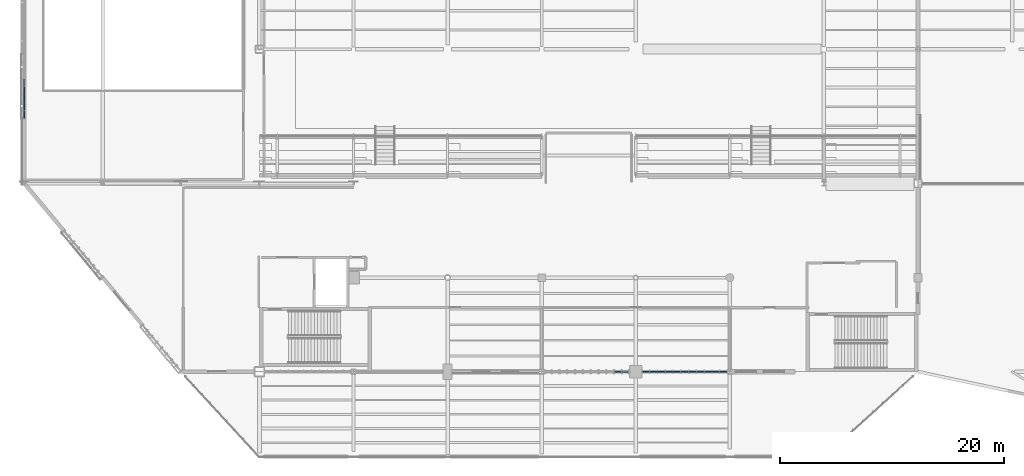
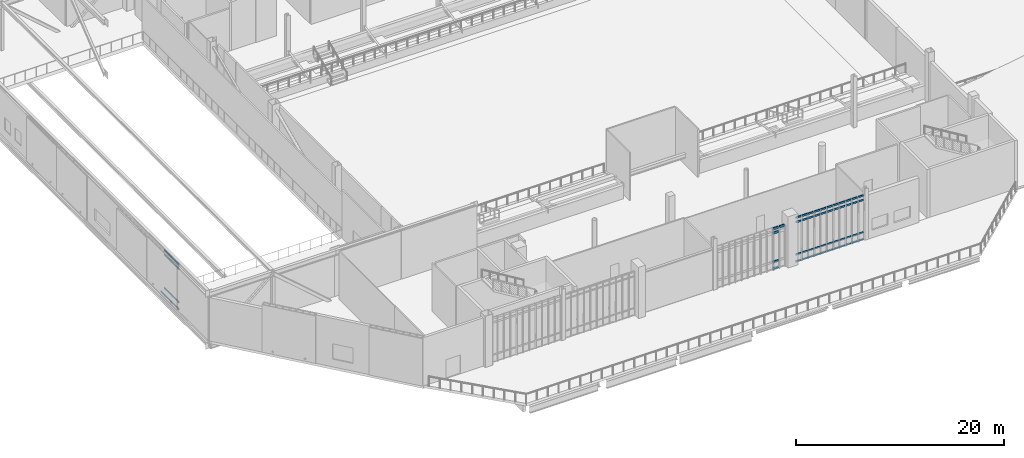
# One storey, part 46 of 135: 66 members, 3 elements without a shape of their own.
"""IFC4 building model written with IfcOpenShell, lengths in metres."""

from ifc_helpers import new_model, si_unit, direction, frame, origin, origin_2d, place, context, subcontext, project, spatial, rectangle, extrude, material, material_profile, profile_set, type_object, element, aggregate, save


model = new_model("IFC4")

# Units and contexts
model_context = context("Model", 3, precision=1e-05, world=origin(), true_north=direction((0.0, 1.0)))
body_context = subcontext(model_context, "Body", "Model", "MODEL_VIEW")
ifc_project = project(units=[si_unit("LENGTHUNIT", "METRE"), si_unit("AREAUNIT", "SQUARE_METRE"), si_unit("VOLUMEUNIT", "CUBIC_METRE"), si_unit("PLANEANGLEUNIT", "RADIAN"), si_unit("MASSUNIT", "GRAM", prefix="KILO")], contexts=[model_context])

# Site, building, storey
site_placement = place(None, origin())
site = spatial("IfcSite", under=ifc_project, at=site_placement, CompositionType="ELEMENT")
building_placement = place(site_placement, origin())
building = spatial("IfcBuilding", under=site, at=building_placement, Name="Larkvane Passage Sports Hall", CompositionType="ELEMENT")
storey_placement = place(building_placement, frame((0.0, 0.0, 10.800048828125)))
storey = spatial("IfcBuildingStorey", under=building, at=storey_placement, Name="L02", CompositionType="ELEMENT", Elevation=10.800048828125)

# Curtain wall, members
ifc_material_1 = material(Name="Thermally broken aluminium and low-E glazing", Category="aluminium")
curtain_wall_type_1 = type_object("IfcCurtainWallType", Name="CW-CLINIC", PredefinedType="USERDEFINED", material=ifc_material_1)
curtain_wall_1_placement = place(storey_placement, origin())
curtain_wall_1 = element("IfcCurtainWall", 1, at=curtain_wall_1_placement, inside=storey, type_object=curtain_wall_type_1, Name="Curtain wall CW5-L02-087", ObjectType="UNITISED CURTAIN WALL", PredefinedType="USERDEFINED")
ifc_material_2 = material(Name="Anodised aluminium 6063-T6", Category="aluminium")
ifc_material_profile_1 = material_profile(ifc_material_2, rectangle(XDim=0.110107421875, YDim=0.2900390625, at=origin_2d()), Name="ALU-TRN-110x290")
ifc_profile_set_1 = profile_set([ifc_material_profile_1], Name="Anodised aluminium 6063-T6")
member_type_1 = type_object("IfcMemberType", Name="CW-TRN-110x290", PredefinedType="USERDEFINED", material=ifc_profile_set_1)
member_1_placement = place(storey_placement, frame((67.743896484375, 22.800048828125, 4.742919921875), z_axis=(-1.0, 0.0, 0.0), x_axis=(0.0, -1.0, 0.0)))
member_1 = element("IfcMember", 2, at=member_1_placement, type_object=member_type_1, Name="CW-05 transom 1.4", ObjectType="TRANSOM", PredefinedType="USERDEFINED", context=body_context, shape_type="SweptSolid", body=[
    extrude(rectangle(XDim=0.110107421875, YDim=0.2900390625, at=origin_2d()), origin(), (0.0, 0.0, 1.0), 0.53076171875),
])
member_2_placement = place(storey_placement, frame((67.10302734375, 22.800048828125, 0.054931640625), z_axis=(-1.0, 0.0, 0.0), x_axis=(0.0, -1.0, 0.0)))
member_2 = element("IfcMember", 3, at=member_2_placement, type_object=member_type_1, Name="CW-05 transom 2.1", ObjectType="TRANSOM", PredefinedType="USERDEFINED", context=body_context, shape_type="SweptSolid", body=[
    extrude(rectangle(XDim=0.110107421875, YDim=0.2900390625, at=origin_2d()), origin(), (0.0, 0.0, 1.0), 0.585693359375),
])
member_3_placement = place(storey_placement, frame((67.10302734375, 22.800048828125, 0.849853515625), z_axis=(-1.0, 0.0, 0.0), x_axis=(0.0, -1.0, 0.0)))
member_3 = element("IfcMember", 4, at=member_3_placement, type_object=member_type_1, Name="CW-05 transom 2.2", ObjectType="TRANSOM", PredefinedType="USERDEFINED", context=body_context, shape_type="SweptSolid", body=[
    extrude(rectangle(XDim=0.110107421875, YDim=0.2900390625, at=origin_2d()), origin(), (0.0, 0.0, 1.0), 0.585693359375),
])
member_4_placement = place(storey_placement, frame((67.10302734375, 22.800048828125, 4.248046875), z_axis=(-1.0, 0.0, 0.0), x_axis=(0.0, -1.0, 0.0)))
member_4 = element("IfcMember", 5, at=member_4_placement, type_object=member_type_1, Name="CW-05 transom 2.3", ObjectType="TRANSOM", PredefinedType="USERDEFINED", context=body_context, shape_type="SweptSolid", body=[
    extrude(rectangle(XDim=0.110107421875, YDim=0.2900390625, at=origin_2d()), origin(), (0.0, 0.0, 1.0), 0.585693359375),
])
member_5_placement = place(storey_placement, frame((67.10302734375, 22.800048828125, 4.742919921875), z_axis=(-1.0, 0.0, 0.0), x_axis=(0.0, -1.0, 0.0)))
member_5 = element("IfcMember", 6, at=member_5_placement, type_object=member_type_1, Name="CW-05 transom 2.4", ObjectType="TRANSOM", PredefinedType="USERDEFINED", context=body_context, shape_type="SweptSolid", body=[
    extrude(rectangle(XDim=0.110107421875, YDim=0.2900390625, at=origin_2d()), origin(), (0.0, 0.0, 1.0), 0.585693359375),
])
aggregate(curtain_wall_1, [member_1, member_2, member_3, member_4, member_5])

curtain_wall_type_2 = type_object("IfcCurtainWallType", Name="CW-UNIT-COURT", PredefinedType="USERDEFINED", material=ifc_material_1)
curtain_wall_2_placement = place(storey_placement, origin())
curtain_wall_2 = element("IfcCurtainWall", 7, at=curtain_wall_2_placement, inside=storey, type_object=curtain_wall_type_2, Name="Curtain wall CW5-L02-092", ObjectType="UNITISED CURTAIN WALL", PredefinedType="USERDEFINED")
ifc_material_profile_2 = material_profile(ifc_material_2, rectangle(XDim=0.06005859375, YDim=0.1201171875, at=origin_2d()), Name="ALU-TRN-60x120")
ifc_profile_set_2 = profile_set([ifc_material_profile_2], Name="Anodised aluminium 6063-T6")
member_type_2 = type_object("IfcMemberType", Name="CW-TRN-60x120", PredefinedType="USERDEFINED", material=ifc_profile_set_2)
member_6_placement = place(storey_placement, frame((13.800048828125, 45.437744140625, 0.030029296875), z_axis=(0.0, 1.0, 0.0), x_axis=(-1.0, 0.0, 0.0)))
member_6 = element("IfcMember", 8, at=member_6_placement, type_object=member_type_2, Name="CW-01 transom 1.1", ObjectType="TRANSOM", PredefinedType="USERDEFINED", context=body_context, shape_type="SweptSolid", body=[
    extrude(rectangle(XDim=0.06005859375, YDim=0.1201171875, at=origin_2d()), origin(), (0.0, 0.0, 1.0), 0.63232421875),
])
member_7_placement = place(storey_placement, frame((13.800048828125, 45.437744140625, 0.849853515625), z_axis=(0.0, 1.0, 0.0), x_axis=(-1.0, 0.0, 0.0)))
member_7 = element("IfcMember", 9, at=member_7_placement, type_object=member_type_2, Name="CW-01 transom 1.2", ObjectType="TRANSOM", PredefinedType="USERDEFINED", context=body_context, shape_type="SweptSolid", body=[
    extrude(rectangle(XDim=0.06005859375, YDim=0.1201171875, at=origin_2d()), origin(), (0.0, 0.0, 1.0), 0.63232421875),
])
member_8_placement = place(storey_placement, frame((13.800048828125, 45.437744140625, 4.72802734375), z_axis=(0.0, 1.0, 0.0), x_axis=(-1.0, 0.0, 0.0)))
member_8 = element("IfcMember", 10, at=member_8_placement, type_object=member_type_2, Name="CW-01 transom 1.3", ObjectType="TRANSOM", PredefinedType="USERDEFINED", context=body_context, shape_type="SweptSolid", body=[
    extrude(rectangle(XDim=0.06005859375, YDim=0.1201171875, at=origin_2d()), origin(), (0.0, 0.0, 1.0), 0.63232421875),
])
member_9_placement = place(storey_placement, frame((13.800048828125, 45.437744140625, 5.248046875), z_axis=(0.0, 1.0, 0.0), x_axis=(-1.0, 0.0, 0.0)))
member_9 = element("IfcMember", 11, at=member_9_placement, type_object=member_type_2, Name="CW-01 transom 1.4", ObjectType="TRANSOM", PredefinedType="USERDEFINED", context=body_context, shape_type="SweptSolid", body=[
    extrude(rectangle(XDim=0.06005859375, YDim=0.1201171875, at=origin_2d()), origin(), (0.0, 0.0, 1.0), 0.63232421875),
])
member_10_placement = place(storey_placement, frame((13.800048828125, 46.130126953125, 0.030029296875), z_axis=(0.0, 1.0, 0.0), x_axis=(-1.0, 0.0, 0.0)))
member_10 = element("IfcMember", 12, at=member_10_placement, type_object=member_type_2, Name="CW-01 transom 2.1", ObjectType="TRANSOM", PredefinedType="USERDEFINED", context=body_context, shape_type="SweptSolid", body=[
    extrude(rectangle(XDim=0.06005859375, YDim=0.1201171875, at=origin_2d()), origin(), (0.0, 0.0, 1.0), 0.662109375),
])
member_11_placement = place(storey_placement, frame((13.800048828125, 46.130126953125, 0.849853515625), z_axis=(0.0, 1.0, 0.0), x_axis=(-1.0, 0.0, 0.0)))
member_11 = element("IfcMember", 13, at=member_11_placement, type_object=member_type_2, Name="CW-01 transom 2.2", ObjectType="TRANSOM", PredefinedType="USERDEFINED", context=body_context, shape_type="SweptSolid", body=[
    extrude(rectangle(XDim=0.06005859375, YDim=0.1201171875, at=origin_2d()), origin(), (0.0, 0.0, 1.0), 0.662109375),
])
member_12_placement = place(storey_placement, frame((13.800048828125, 46.130126953125, 4.72802734375), z_axis=(0.0, 1.0, 0.0), x_axis=(-1.0, 0.0, 0.0)))
member_12 = element("IfcMember", 14, at=member_12_placement, type_object=member_type_2, Name="CW-01 transom 2.3", ObjectType="TRANSOM", PredefinedType="USERDEFINED", context=body_context, shape_type="SweptSolid", body=[
    extrude(rectangle(XDim=0.06005859375, YDim=0.1201171875, at=origin_2d()), origin(), (0.0, 0.0, 1.0), 0.662109375),
])
member_13_placement = place(storey_placement, frame((13.800048828125, 46.130126953125, 5.248046875), z_axis=(0.0, 1.0, 0.0), x_axis=(-1.0, 0.0, 0.0)))
member_13 = element("IfcMember", 15, at=member_13_placement, type_object=member_type_2, Name="CW-01 transom 2.4", ObjectType="TRANSOM", PredefinedType="USERDEFINED", context=body_context, shape_type="SweptSolid", body=[
    extrude(rectangle(XDim=0.06005859375, YDim=0.1201171875, at=origin_2d()), origin(), (0.0, 0.0, 1.0), 0.662109375),
])
member_14_placement = place(storey_placement, frame((13.800048828125, 46.852294921875, 0.030029296875), z_axis=(0.0, 1.0, 0.0), x_axis=(-1.0, 0.0, 0.0)))
member_14 = element("IfcMember", 16, at=member_14_placement, type_object=member_type_2, Name="CW-01 transom 3.1", ObjectType="TRANSOM", PredefinedType="USERDEFINED", context=body_context, shape_type="SweptSolid", body=[
    extrude(rectangle(XDim=0.06005859375, YDim=0.1201171875, at=origin_2d()), origin(), (0.0, 0.0, 1.0), 0.662109375),
])
member_15_placement = place(storey_placement, frame((13.800048828125, 46.852294921875, 0.849853515625), z_axis=(0.0, 1.0, 0.0), x_axis=(-1.0, 0.0, 0.0)))
member_15 = element("IfcMember", 17, at=member_15_placement, type_object=member_type_2, Name="CW-01 transom 3.2", ObjectType="TRANSOM", PredefinedType="USERDEFINED", context=body_context, shape_type="SweptSolid", body=[
    extrude(rectangle(XDim=0.06005859375, YDim=0.1201171875, at=origin_2d()), origin(), (0.0, 0.0, 1.0), 0.662109375),
])
member_16_placement = place(storey_placement, frame((13.800048828125, 46.852294921875, 4.72802734375), z_axis=(0.0, 1.0, 0.0), x_axis=(-1.0, 0.0, 0.0)))
member_16 = element("IfcMember", 18, at=member_16_placement, type_object=member_type_2, Name="CW-01 transom 3.3", ObjectType="TRANSOM", PredefinedType="USERDEFINED", context=body_context, shape_type="SweptSolid", body=[
    extrude(rectangle(XDim=0.06005859375, YDim=0.1201171875, at=origin_2d()), origin(), (0.0, 0.0, 1.0), 0.662109375),
])
member_17_placement = place(storey_placement, frame((13.800048828125, 46.852294921875, 5.248046875), z_axis=(0.0, 1.0, 0.0), x_axis=(-1.0, 0.0, 0.0)))
member_17 = element("IfcMember", 19, at=member_17_placement, type_object=member_type_2, Name="CW-01 transom 3.4", ObjectType="TRANSOM", PredefinedType="USERDEFINED", context=body_context, shape_type="SweptSolid", body=[
    extrude(rectangle(XDim=0.06005859375, YDim=0.1201171875, at=origin_2d()), origin(), (0.0, 0.0, 1.0), 0.662109375),
])
member_18_placement = place(storey_placement, frame((13.800048828125, 47.574462890625, 0.030029296875), z_axis=(0.0, 1.0, 0.0), x_axis=(-1.0, 0.0, 0.0)))
member_18 = element("IfcMember", 20, at=member_18_placement, type_object=member_type_2, Name="CW-01 transom 4.1", ObjectType="TRANSOM", PredefinedType="USERDEFINED", context=body_context, shape_type="SweptSolid", body=[
    extrude(rectangle(XDim=0.06005859375, YDim=0.1201171875, at=origin_2d()), origin(), (0.0, 0.0, 1.0), 0.662353515625),
])
member_19_placement = place(storey_placement, frame((13.800048828125, 47.574462890625, 0.849853515625), z_axis=(0.0, 1.0, 0.0), x_axis=(-1.0, 0.0, 0.0)))
member_19 = element("IfcMember", 21, at=member_19_placement, type_object=member_type_2, Name="CW-01 transom 4.2", ObjectType="TRANSOM", PredefinedType="USERDEFINED", context=body_context, shape_type="SweptSolid", body=[
    extrude(rectangle(XDim=0.06005859375, YDim=0.1201171875, at=origin_2d()), origin(), (0.0, 0.0, 1.0), 0.662353515625),
])
member_20_placement = place(storey_placement, frame((13.800048828125, 47.574462890625, 4.72802734375), z_axis=(0.0, 1.0, 0.0), x_axis=(-1.0, 0.0, 0.0)))
member_20 = element("IfcMember", 22, at=member_20_placement, type_object=member_type_2, Name="CW-01 transom 4.3", ObjectType="TRANSOM", PredefinedType="USERDEFINED", context=body_context, shape_type="SweptSolid", body=[
    extrude(rectangle(XDim=0.06005859375, YDim=0.1201171875, at=origin_2d()), origin(), (0.0, 0.0, 1.0), 0.662353515625),
])
member_21_placement = place(storey_placement, frame((13.800048828125, 47.574462890625, 5.248046875), z_axis=(0.0, 1.0, 0.0), x_axis=(-1.0, 0.0, 0.0)))
member_21 = element("IfcMember", 23, at=member_21_placement, type_object=member_type_2, Name="CW-01 transom 4.4", ObjectType="TRANSOM", PredefinedType="USERDEFINED", context=body_context, shape_type="SweptSolid", body=[
    extrude(rectangle(XDim=0.06005859375, YDim=0.1201171875, at=origin_2d()), origin(), (0.0, 0.0, 1.0), 0.662353515625),
])
member_22_placement = place(storey_placement, frame((13.800048828125, 48.296630859375, 0.030029296875), z_axis=(0.0, 1.0, 0.0), x_axis=(-1.0, 0.0, 0.0)))
member_22 = element("IfcMember", 24, at=member_22_placement, type_object=member_type_2, Name="CW-01 transom 5.1", ObjectType="TRANSOM", PredefinedType="USERDEFINED", context=body_context, shape_type="SweptSolid", body=[
    extrude(rectangle(XDim=0.06005859375, YDim=0.1201171875, at=origin_2d()), origin(), (0.0, 0.0, 1.0), 0.662353515625),
])
aggregate(curtain_wall_2, [member_6, member_7, member_8, member_9, member_10, member_11, member_12, member_13, member_14, member_15, member_16, member_17, member_18, member_19, member_20, member_21, member_22])

curtain_wall_type_3 = type_object("IfcCurtainWallType", Name="CW-STICK-FOYER", PredefinedType="USERDEFINED", material=ifc_material_1)
curtain_wall_3_placement = place(storey_placement, origin())
curtain_wall_3 = element("IfcCurtainWall", 25, at=curtain_wall_3_placement, inside=storey, type_object=curtain_wall_type_3, Name="Curtain wall CW5-L02-086", ObjectType="STICK CURTAIN WALL", PredefinedType="USERDEFINED")
ifc_material_profile_3 = material_profile(ifc_material_2, rectangle(XDim=0.080078125, YDim=0.2099609375, at=origin_2d()), Name="ALU-TRN-80x210")
ifc_profile_set_3 = profile_set([ifc_material_profile_3], Name="Anodised aluminium 6063-T6")
member_type_3 = type_object("IfcMemberType", Name="CW-TRN-80x210", PredefinedType="USERDEFINED", material=ifc_profile_set_3)
member_23_placement = place(storey_placement, frame((76.521484375, 22.800048828125, 0.0400390625), z_axis=(-1.0, 0.0, 0.0), x_axis=(0.0, -1.0, 0.0)))
member_23 = element("IfcMember", 26, at=member_23_placement, type_object=member_type_3, Name="CW-03 transom 1.1", ObjectType="TRANSOM", PredefinedType="USERDEFINED", context=body_context, shape_type="SweptSolid", body=[
    extrude(rectangle(XDim=0.080078125, YDim=0.2099609375, at=origin_2d()), origin(), (0.0, 0.0, 1.0), 0.575927734375),
])
member_24_placement = place(storey_placement, frame((76.521484375, 22.800048828125, 0.849853515625), z_axis=(-1.0, 0.0, 0.0), x_axis=(0.0, -1.0, 0.0)))
member_24 = element("IfcMember", 27, at=member_24_placement, type_object=member_type_3, Name="CW-03 transom 1.2", ObjectType="TRANSOM", PredefinedType="USERDEFINED", context=body_context, shape_type="SweptSolid", body=[
    extrude(rectangle(XDim=0.080078125, YDim=0.2099609375, at=origin_2d()), origin(), (0.0, 0.0, 1.0), 0.575927734375),
])
member_25_placement = place(storey_placement, frame((76.521484375, 22.800048828125, 4.64794921875), z_axis=(-1.0, 0.0, 0.0), x_axis=(0.0, -1.0, 0.0)))
member_25 = element("IfcMember", 28, at=member_25_placement, type_object=member_type_3, Name="CW-03 transom 1.3", ObjectType="TRANSOM", PredefinedType="USERDEFINED", context=body_context, shape_type="SweptSolid", body=[
    extrude(rectangle(XDim=0.080078125, YDim=0.2099609375, at=origin_2d()), origin(), (0.0, 0.0, 1.0), 0.575927734375),
])
member_26_placement = place(storey_placement, frame((76.521484375, 22.800048828125, 5.157958984375), z_axis=(-1.0, 0.0, 0.0), x_axis=(0.0, -1.0, 0.0)))
member_26 = element("IfcMember", 29, at=member_26_placement, type_object=member_type_3, Name="CW-03 transom 1.4", ObjectType="TRANSOM", PredefinedType="USERDEFINED", context=body_context, shape_type="SweptSolid", body=[
    extrude(rectangle(XDim=0.080078125, YDim=0.2099609375, at=origin_2d()), origin(), (0.0, 0.0, 1.0), 0.575927734375),
])
member_27_placement = place(storey_placement, frame((75.865478515625, 22.800048828125, 0.0400390625), z_axis=(-1.0, 0.0, 0.0), x_axis=(0.0, -1.0, 0.0)))
member_27 = element("IfcMember", 30, at=member_27_placement, type_object=member_type_3, Name="CW-03 transom 2.1", ObjectType="TRANSOM", PredefinedType="USERDEFINED", context=body_context, shape_type="SweptSolid", body=[
    extrude(rectangle(XDim=0.080078125, YDim=0.2099609375, at=origin_2d()), origin(), (0.0, 0.0, 1.0), 0.615966796875),
])
member_28_placement = place(storey_placement, frame((75.865478515625, 22.800048828125, 0.849853515625), z_axis=(-1.0, 0.0, 0.0), x_axis=(0.0, -1.0, 0.0)))
member_28 = element("IfcMember", 31, at=member_28_placement, type_object=member_type_3, Name="CW-03 transom 2.2", ObjectType="TRANSOM", PredefinedType="USERDEFINED", context=body_context, shape_type="SweptSolid", body=[
    extrude(rectangle(XDim=0.080078125, YDim=0.2099609375, at=origin_2d()), origin(), (0.0, 0.0, 1.0), 0.615966796875),
])
member_29_placement = place(storey_placement, frame((75.865478515625, 22.800048828125, 4.64794921875), z_axis=(-1.0, 0.0, 0.0), x_axis=(0.0, -1.0, 0.0)))
member_29 = element("IfcMember", 32, at=member_29_placement, type_object=member_type_3, Name="CW-03 transom 2.3", ObjectType="TRANSOM", PredefinedType="USERDEFINED", context=body_context, shape_type="SweptSolid", body=[
    extrude(rectangle(XDim=0.080078125, YDim=0.2099609375, at=origin_2d()), origin(), (0.0, 0.0, 1.0), 0.615966796875),
])
member_30_placement = place(storey_placement, frame((75.865478515625, 22.800048828125, 5.157958984375), z_axis=(-1.0, 0.0, 0.0), x_axis=(0.0, -1.0, 0.0)))
member_30 = element("IfcMember", 33, at=member_30_placement, type_object=member_type_3, Name="CW-03 transom 2.4", ObjectType="TRANSOM", PredefinedType="USERDEFINED", context=body_context, shape_type="SweptSolid", body=[
    extrude(rectangle(XDim=0.080078125, YDim=0.2099609375, at=origin_2d()), origin(), (0.0, 0.0, 1.0), 0.615966796875),
])
member_31_placement = place(storey_placement, frame((75.169677734375, 22.800048828125, 0.0400390625), z_axis=(-1.0, 0.0, 0.0), x_axis=(0.0, -1.0, 0.0)))
member_31 = element("IfcMember", 34, at=member_31_placement, type_object=member_type_3, Name="CW-03 transom 3.1", ObjectType="TRANSOM", PredefinedType="USERDEFINED", context=body_context, shape_type="SweptSolid", body=[
    extrude(rectangle(XDim=0.080078125, YDim=0.2099609375, at=origin_2d()), origin(), (0.0, 0.0, 1.0), 0.615966796875),
])
member_32_placement = place(storey_placement, frame((75.169677734375, 22.800048828125, 0.849853515625), z_axis=(-1.0, 0.0, 0.0), x_axis=(0.0, -1.0, 0.0)))
member_32 = element("IfcMember", 35, at=member_32_placement, type_object=member_type_3, Name="CW-03 transom 3.2", ObjectType="TRANSOM", PredefinedType="USERDEFINED", context=body_context, shape_type="SweptSolid", body=[
    extrude(rectangle(XDim=0.080078125, YDim=0.2099609375, at=origin_2d()), origin(), (0.0, 0.0, 1.0), 0.615966796875),
])
member_33_placement = place(storey_placement, frame((75.169677734375, 22.800048828125, 4.64794921875), z_axis=(-1.0, 0.0, 0.0), x_axis=(0.0, -1.0, 0.0)))
member_33 = element("IfcMember", 36, at=member_33_placement, type_object=member_type_3, Name="CW-03 transom 3.3", ObjectType="TRANSOM", PredefinedType="USERDEFINED", context=body_context, shape_type="SweptSolid", body=[
    extrude(rectangle(XDim=0.080078125, YDim=0.2099609375, at=origin_2d()), origin(), (0.0, 0.0, 1.0), 0.615966796875),
])
member_34_placement = place(storey_placement, frame((75.169677734375, 22.800048828125, 5.157958984375), z_axis=(-1.0, 0.0, 0.0), x_axis=(0.0, -1.0, 0.0)))
member_34 = element("IfcMember", 37, at=member_34_placement, type_object=member_type_3, Name="CW-03 transom 3.4", ObjectType="TRANSOM", PredefinedType="USERDEFINED", context=body_context, shape_type="SweptSolid", body=[
    extrude(rectangle(XDim=0.080078125, YDim=0.2099609375, at=origin_2d()), origin(), (0.0, 0.0, 1.0), 0.615966796875),
])
member_35_placement = place(storey_placement, frame((74.4736328125, 22.800048828125, 0.0400390625), z_axis=(-1.0, 0.0, 0.0), x_axis=(0.0, -1.0, 0.0)))
member_35 = element("IfcMember", 38, at=member_35_placement, type_object=member_type_3, Name="CW-03 transom 4.1", ObjectType="TRANSOM", PredefinedType="USERDEFINED", context=body_context, shape_type="SweptSolid", body=[
    extrude(rectangle(XDim=0.080078125, YDim=0.2099609375, at=origin_2d()), origin(), (0.0, 0.0, 1.0), 0.615966796875),
])
member_36_placement = place(storey_placement, frame((74.4736328125, 22.800048828125, 0.849853515625), z_axis=(-1.0, 0.0, 0.0), x_axis=(0.0, -1.0, 0.0)))
member_36 = element("IfcMember", 39, at=member_36_placement, type_object=member_type_3, Name="CW-03 transom 4.2", ObjectType="TRANSOM", PredefinedType="USERDEFINED", context=body_context, shape_type="SweptSolid", body=[
    extrude(rectangle(XDim=0.080078125, YDim=0.2099609375, at=origin_2d()), origin(), (0.0, 0.0, 1.0), 0.615966796875),
])
member_37_placement = place(storey_placement, frame((74.4736328125, 22.800048828125, 4.64794921875), z_axis=(-1.0, 0.0, 0.0), x_axis=(0.0, -1.0, 0.0)))
member_37 = element("IfcMember", 40, at=member_37_placement, type_object=member_type_3, Name="CW-03 transom 4.3", ObjectType="TRANSOM", PredefinedType="USERDEFINED", context=body_context, shape_type="SweptSolid", body=[
    extrude(rectangle(XDim=0.080078125, YDim=0.2099609375, at=origin_2d()), origin(), (0.0, 0.0, 1.0), 0.615966796875),
])
member_38_placement = place(storey_placement, frame((74.4736328125, 22.800048828125, 5.157958984375), z_axis=(-1.0, 0.0, 0.0), x_axis=(0.0, -1.0, 0.0)))
member_38 = element("IfcMember", 41, at=member_38_placement, type_object=member_type_3, Name="CW-03 transom 4.4", ObjectType="TRANSOM", PredefinedType="USERDEFINED", context=body_context, shape_type="SweptSolid", body=[
    extrude(rectangle(XDim=0.080078125, YDim=0.2099609375, at=origin_2d()), origin(), (0.0, 0.0, 1.0), 0.615966796875),
])
member_39_placement = place(storey_placement, frame((73.777587890625, 22.800048828125, 0.0400390625), z_axis=(-1.0, 0.0, 0.0), x_axis=(0.0, -1.0, 0.0)))
member_39 = element("IfcMember", 42, at=member_39_placement, type_object=member_type_3, Name="CW-03 transom 5.1", ObjectType="TRANSOM", PredefinedType="USERDEFINED", context=body_context, shape_type="SweptSolid", body=[
    extrude(rectangle(XDim=0.080078125, YDim=0.2099609375, at=origin_2d()), origin(), (0.0, 0.0, 1.0), 0.615966796875),
])
member_40_placement = place(storey_placement, frame((73.777587890625, 22.800048828125, 0.849853515625), z_axis=(-1.0, 0.0, 0.0), x_axis=(0.0, -1.0, 0.0)))
member_40 = element("IfcMember", 43, at=member_40_placement, type_object=member_type_3, Name="CW-03 transom 5.2", ObjectType="TRANSOM", PredefinedType="USERDEFINED", context=body_context, shape_type="SweptSolid", body=[
    extrude(rectangle(XDim=0.080078125, YDim=0.2099609375, at=origin_2d()), origin(), (0.0, 0.0, 1.0), 0.615966796875),
])
member_41_placement = place(storey_placement, frame((73.777587890625, 22.800048828125, 4.64794921875), z_axis=(-1.0, 0.0, 0.0), x_axis=(0.0, -1.0, 0.0)))
member_41 = element("IfcMember", 44, at=member_41_placement, type_object=member_type_3, Name="CW-03 transom 5.3", ObjectType="TRANSOM", PredefinedType="USERDEFINED", context=body_context, shape_type="SweptSolid", body=[
    extrude(rectangle(XDim=0.080078125, YDim=0.2099609375, at=origin_2d()), origin(), (0.0, 0.0, 1.0), 0.615966796875),
])
member_42_placement = place(storey_placement, frame((73.777587890625, 22.800048828125, 5.157958984375), z_axis=(-1.0, 0.0, 0.0), x_axis=(0.0, -1.0, 0.0)))
member_42 = element("IfcMember", 45, at=member_42_placement, type_object=member_type_3, Name="CW-03 transom 5.4", ObjectType="TRANSOM", PredefinedType="USERDEFINED", context=body_context, shape_type="SweptSolid", body=[
    extrude(rectangle(XDim=0.080078125, YDim=0.2099609375, at=origin_2d()), origin(), (0.0, 0.0, 1.0), 0.615966796875),
])
member_43_placement = place(storey_placement, frame((73.081787109375, 22.800048828125, 0.0400390625), z_axis=(-1.0, 0.0, 0.0), x_axis=(0.0, -1.0, 0.0)))
member_43 = element("IfcMember", 46, at=member_43_placement, type_object=member_type_3, Name="CW-03 transom 6.1", ObjectType="TRANSOM", PredefinedType="USERDEFINED", context=body_context, shape_type="SweptSolid", body=[
    extrude(rectangle(XDim=0.080078125, YDim=0.2099609375, at=origin_2d()), origin(), (0.0, 0.0, 1.0), 0.615966796875),
])
member_44_placement = place(storey_placement, frame((73.081787109375, 22.800048828125, 0.849853515625), z_axis=(-1.0, 0.0, 0.0), x_axis=(0.0, -1.0, 0.0)))
member_44 = element("IfcMember", 47, at=member_44_placement, type_object=member_type_3, Name="CW-03 transom 6.2", ObjectType="TRANSOM", PredefinedType="USERDEFINED", context=body_context, shape_type="SweptSolid", body=[
    extrude(rectangle(XDim=0.080078125, YDim=0.2099609375, at=origin_2d()), origin(), (0.0, 0.0, 1.0), 0.615966796875),
])
member_45_placement = place(storey_placement, frame((73.081787109375, 22.800048828125, 4.64794921875), z_axis=(-1.0, 0.0, 0.0), x_axis=(0.0, -1.0, 0.0)))
member_45 = element("IfcMember", 48, at=member_45_placement, type_object=member_type_3, Name="CW-03 transom 6.3", ObjectType="TRANSOM", PredefinedType="USERDEFINED", context=body_context, shape_type="SweptSolid", body=[
    extrude(rectangle(XDim=0.080078125, YDim=0.2099609375, at=origin_2d()), origin(), (0.0, 0.0, 1.0), 0.615966796875),
])
member_46_placement = place(storey_placement, frame((73.081787109375, 22.800048828125, 5.157958984375), z_axis=(-1.0, 0.0, 0.0), x_axis=(0.0, -1.0, 0.0)))
member_46 = element("IfcMember", 49, at=member_46_placement, type_object=member_type_3, Name="CW-03 transom 6.4", ObjectType="TRANSOM", PredefinedType="USERDEFINED", context=body_context, shape_type="SweptSolid", body=[
    extrude(rectangle(XDim=0.080078125, YDim=0.2099609375, at=origin_2d()), origin(), (0.0, 0.0, 1.0), 0.615966796875),
])
member_47_placement = place(storey_placement, frame((72.3857421875, 22.800048828125, 0.0400390625), z_axis=(-1.0, 0.0, 0.0), x_axis=(0.0, -1.0, 0.0)))
member_47 = element("IfcMember", 50, at=member_47_placement, type_object=member_type_3, Name="CW-03 transom 7.1", ObjectType="TRANSOM", PredefinedType="USERDEFINED", context=body_context, shape_type="SweptSolid", body=[
    extrude(rectangle(XDim=0.080078125, YDim=0.2099609375, at=origin_2d()), origin(), (0.0, 0.0, 1.0), 0.615966796875),
])
member_48_placement = place(storey_placement, frame((72.3857421875, 22.800048828125, 0.849853515625), z_axis=(-1.0, 0.0, 0.0), x_axis=(0.0, -1.0, 0.0)))
member_48 = element("IfcMember", 51, at=member_48_placement, type_object=member_type_3, Name="CW-03 transom 7.2", ObjectType="TRANSOM", PredefinedType="USERDEFINED", context=body_context, shape_type="SweptSolid", body=[
    extrude(rectangle(XDim=0.080078125, YDim=0.2099609375, at=origin_2d()), origin(), (0.0, 0.0, 1.0), 0.615966796875),
])
member_49_placement = place(storey_placement, frame((72.3857421875, 22.800048828125, 4.64794921875), z_axis=(-1.0, 0.0, 0.0), x_axis=(0.0, -1.0, 0.0)))
member_49 = element("IfcMember", 52, at=member_49_placement, type_object=member_type_3, Name="CW-03 transom 7.3", ObjectType="TRANSOM", PredefinedType="USERDEFINED", context=body_context, shape_type="SweptSolid", body=[
    extrude(rectangle(XDim=0.080078125, YDim=0.2099609375, at=origin_2d()), origin(), (0.0, 0.0, 1.0), 0.615966796875),
])
member_50_placement = place(storey_placement, frame((72.3857421875, 22.800048828125, 5.157958984375), z_axis=(-1.0, 0.0, 0.0), x_axis=(0.0, -1.0, 0.0)))
member_50 = element("IfcMember", 53, at=member_50_placement, type_object=member_type_3, Name="CW-03 transom 7.4", ObjectType="TRANSOM", PredefinedType="USERDEFINED", context=body_context, shape_type="SweptSolid", body=[
    extrude(rectangle(XDim=0.080078125, YDim=0.2099609375, at=origin_2d()), origin(), (0.0, 0.0, 1.0), 0.615966796875),
])
member_51_placement = place(storey_placement, frame((71.689697265625, 22.800048828125, 0.0400390625), z_axis=(-1.0, 0.0, 0.0), x_axis=(0.0, -1.0, 0.0)))
member_51 = element("IfcMember", 54, at=member_51_placement, type_object=member_type_3, Name="CW-03 transom 8.1", ObjectType="TRANSOM", PredefinedType="USERDEFINED", context=body_context, shape_type="SweptSolid", body=[
    extrude(rectangle(XDim=0.080078125, YDim=0.2099609375, at=origin_2d()), origin(), (0.0, 0.0, 1.0), 0.61572265625),
])
member_52_placement = place(storey_placement, frame((71.689697265625, 22.800048828125, 0.849853515625), z_axis=(-1.0, 0.0, 0.0), x_axis=(0.0, -1.0, 0.0)))
member_52 = element("IfcMember", 55, at=member_52_placement, type_object=member_type_3, Name="CW-03 transom 8.2", ObjectType="TRANSOM", PredefinedType="USERDEFINED", context=body_context, shape_type="SweptSolid", body=[
    extrude(rectangle(XDim=0.080078125, YDim=0.2099609375, at=origin_2d()), origin(), (0.0, 0.0, 1.0), 0.61572265625),
])
member_53_placement = place(storey_placement, frame((71.689697265625, 22.800048828125, 4.64794921875), z_axis=(-1.0, 0.0, 0.0), x_axis=(0.0, -1.0, 0.0)))
member_53 = element("IfcMember", 56, at=member_53_placement, type_object=member_type_3, Name="CW-03 transom 8.3", ObjectType="TRANSOM", PredefinedType="USERDEFINED", context=body_context, shape_type="SweptSolid", body=[
    extrude(rectangle(XDim=0.080078125, YDim=0.2099609375, at=origin_2d()), origin(), (0.0, 0.0, 1.0), 0.61572265625),
])
member_54_placement = place(storey_placement, frame((71.689697265625, 22.800048828125, 5.157958984375), z_axis=(-1.0, 0.0, 0.0), x_axis=(0.0, -1.0, 0.0)))
member_54 = element("IfcMember", 57, at=member_54_placement, type_object=member_type_3, Name="CW-03 transom 8.4", ObjectType="TRANSOM", PredefinedType="USERDEFINED", context=body_context, shape_type="SweptSolid", body=[
    extrude(rectangle(XDim=0.080078125, YDim=0.2099609375, at=origin_2d()), origin(), (0.0, 0.0, 1.0), 0.61572265625),
])
member_55_placement = place(storey_placement, frame((70.993896484375, 22.800048828125, 0.0400390625), z_axis=(-1.0, 0.0, 0.0), x_axis=(0.0, -1.0, 0.0)))
member_55 = element("IfcMember", 58, at=member_55_placement, type_object=member_type_3, Name="CW-03 transom 9.1", ObjectType="TRANSOM", PredefinedType="USERDEFINED", context=body_context, shape_type="SweptSolid", body=[
    extrude(rectangle(XDim=0.080078125, YDim=0.2099609375, at=origin_2d()), origin(), (0.0, 0.0, 1.0), 0.615966796875),
])
member_56_placement = place(storey_placement, frame((70.993896484375, 22.800048828125, 0.849853515625), z_axis=(-1.0, 0.0, 0.0), x_axis=(0.0, -1.0, 0.0)))
member_56 = element("IfcMember", 59, at=member_56_placement, type_object=member_type_3, Name="CW-03 transom 9.2", ObjectType="TRANSOM", PredefinedType="USERDEFINED", context=body_context, shape_type="SweptSolid", body=[
    extrude(rectangle(XDim=0.080078125, YDim=0.2099609375, at=origin_2d()), origin(), (0.0, 0.0, 1.0), 0.615966796875),
])
member_57_placement = place(storey_placement, frame((70.993896484375, 22.800048828125, 4.64794921875), z_axis=(-1.0, 0.0, 0.0), x_axis=(0.0, -1.0, 0.0)))
member_57 = element("IfcMember", 60, at=member_57_placement, type_object=member_type_3, Name="CW-03 transom 9.3", ObjectType="TRANSOM", PredefinedType="USERDEFINED", context=body_context, shape_type="SweptSolid", body=[
    extrude(rectangle(XDim=0.080078125, YDim=0.2099609375, at=origin_2d()), origin(), (0.0, 0.0, 1.0), 0.615966796875),
])
member_58_placement = place(storey_placement, frame((70.993896484375, 22.800048828125, 5.157958984375), z_axis=(-1.0, 0.0, 0.0), x_axis=(0.0, -1.0, 0.0)))
member_58 = element("IfcMember", 61, at=member_58_placement, type_object=member_type_3, Name="CW-03 transom 9.4", ObjectType="TRANSOM", PredefinedType="USERDEFINED", context=body_context, shape_type="SweptSolid", body=[
    extrude(rectangle(XDim=0.080078125, YDim=0.2099609375, at=origin_2d()), origin(), (0.0, 0.0, 1.0), 0.615966796875),
])
member_59_placement = place(storey_placement, frame((70.2978515625, 22.800048828125, 0.0400390625), z_axis=(-1.0, 0.0, 0.0), x_axis=(0.0, -1.0, 0.0)))
member_59 = element("IfcMember", 62, at=member_59_placement, type_object=member_type_3, Name="CW-03 transom 10.1", ObjectType="TRANSOM", PredefinedType="USERDEFINED", context=body_context, shape_type="SweptSolid", body=[
    extrude(rectangle(XDim=0.080078125, YDim=0.2099609375, at=origin_2d()), origin(), (0.0, 0.0, 1.0), 0.615966796875),
])
member_60_placement = place(storey_placement, frame((70.2978515625, 22.800048828125, 0.849853515625), z_axis=(-1.0, 0.0, 0.0), x_axis=(0.0, -1.0, 0.0)))
member_60 = element("IfcMember", 63, at=member_60_placement, type_object=member_type_3, Name="CW-03 transom 10.2", ObjectType="TRANSOM", PredefinedType="USERDEFINED", context=body_context, shape_type="SweptSolid", body=[
    extrude(rectangle(XDim=0.080078125, YDim=0.2099609375, at=origin_2d()), origin(), (0.0, 0.0, 1.0), 0.615966796875),
])
member_61_placement = place(storey_placement, frame((70.2978515625, 22.800048828125, 4.64794921875), z_axis=(-1.0, 0.0, 0.0), x_axis=(0.0, -1.0, 0.0)))
member_61 = element("IfcMember", 64, at=member_61_placement, type_object=member_type_3, Name="CW-03 transom 10.3", ObjectType="TRANSOM", PredefinedType="USERDEFINED", context=body_context, shape_type="SweptSolid", body=[
    extrude(rectangle(XDim=0.080078125, YDim=0.2099609375, at=origin_2d()), origin(), (0.0, 0.0, 1.0), 0.615966796875),
])
member_62_placement = place(storey_placement, frame((70.2978515625, 22.800048828125, 5.157958984375), z_axis=(-1.0, 0.0, 0.0), x_axis=(0.0, -1.0, 0.0)))
member_62 = element("IfcMember", 65, at=member_62_placement, type_object=member_type_3, Name="CW-03 transom 10.4", ObjectType="TRANSOM", PredefinedType="USERDEFINED", context=body_context, shape_type="SweptSolid", body=[
    extrude(rectangle(XDim=0.080078125, YDim=0.2099609375, at=origin_2d()), origin(), (0.0, 0.0, 1.0), 0.615966796875),
])
member_63_placement = place(storey_placement, frame((69.60205078125, 22.800048828125, 0.0400390625), z_axis=(-1.0, 0.0, 0.0), x_axis=(0.0, -1.0, 0.0)))
member_63 = element("IfcMember", 66, at=member_63_placement, type_object=member_type_3, Name="CW-03 transom 11.1", ObjectType="TRANSOM", PredefinedType="USERDEFINED", context=body_context, shape_type="SweptSolid", body=[
    extrude(rectangle(XDim=0.080078125, YDim=0.2099609375, at=origin_2d()), origin(), (0.0, 0.0, 1.0), 0.576171875),
])
member_64_placement = place(storey_placement, frame((69.60205078125, 22.800048828125, 0.849853515625), z_axis=(-1.0, 0.0, 0.0), x_axis=(0.0, -1.0, 0.0)))
member_64 = element("IfcMember", 67, at=member_64_placement, type_object=member_type_3, Name="CW-03 transom 11.2", ObjectType="TRANSOM", PredefinedType="USERDEFINED", context=body_context, shape_type="SweptSolid", body=[
    extrude(rectangle(XDim=0.080078125, YDim=0.2099609375, at=origin_2d()), origin(), (0.0, 0.0, 1.0), 0.576171875),
])
member_65_placement = place(storey_placement, frame((69.60205078125, 22.800048828125, 4.64794921875), z_axis=(-1.0, 0.0, 0.0), x_axis=(0.0, -1.0, 0.0)))
member_65 = element("IfcMember", 68, at=member_65_placement, type_object=member_type_3, Name="CW-03 transom 11.3", ObjectType="TRANSOM", PredefinedType="USERDEFINED", context=body_context, shape_type="SweptSolid", body=[
    extrude(rectangle(XDim=0.080078125, YDim=0.2099609375, at=origin_2d()), origin(), (0.0, 0.0, 1.0), 0.576171875),
])
member_66_placement = place(storey_placement, frame((69.60205078125, 22.800048828125, 5.157958984375), z_axis=(-1.0, 0.0, 0.0), x_axis=(0.0, -1.0, 0.0)))
member_66 = element("IfcMember", 69, at=member_66_placement, type_object=member_type_3, Name="CW-03 transom 11.4", ObjectType="TRANSOM", PredefinedType="USERDEFINED", context=body_context, shape_type="SweptSolid", body=[
    extrude(rectangle(XDim=0.080078125, YDim=0.2099609375, at=origin_2d()), origin(), (0.0, 0.0, 1.0), 0.576171875),
])
aggregate(curtain_wall_3, [member_23, member_24, member_25, member_26, member_27, member_28, member_29, member_30, member_31, member_32, member_33, member_34, member_35, member_36, member_37, member_38, member_39, member_40, member_41, member_42, member_43, member_44, member_45, member_46, member_47, member_48, member_49, member_50, member_51, member_52, member_53, member_54, member_55, member_56, member_57, member_58, member_59, member_60, member_61, member_62, member_63, member_64, member_65, member_66])

save(model, "model.ifc")
